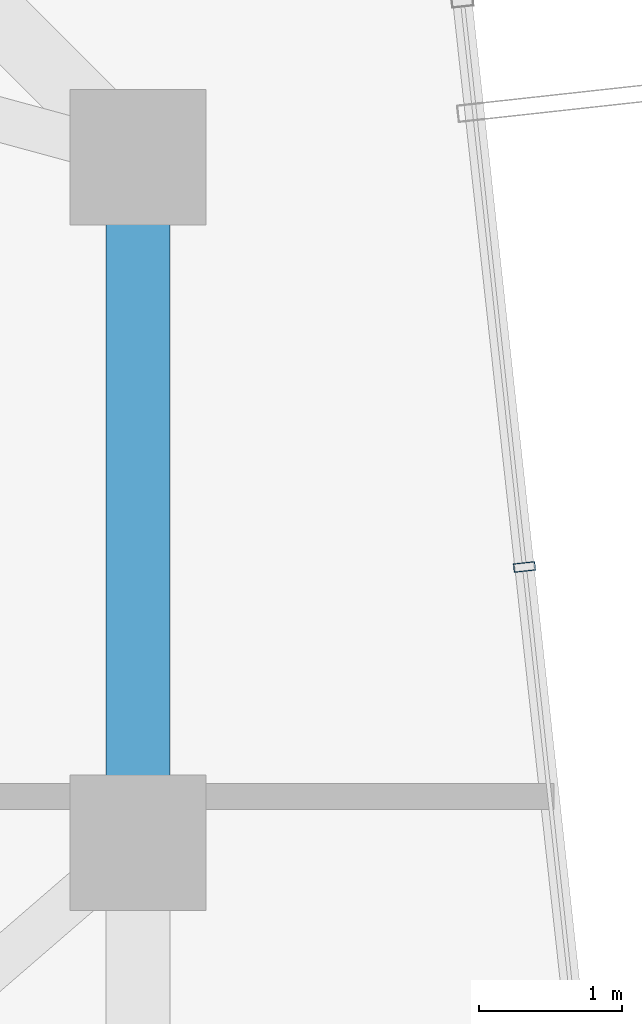
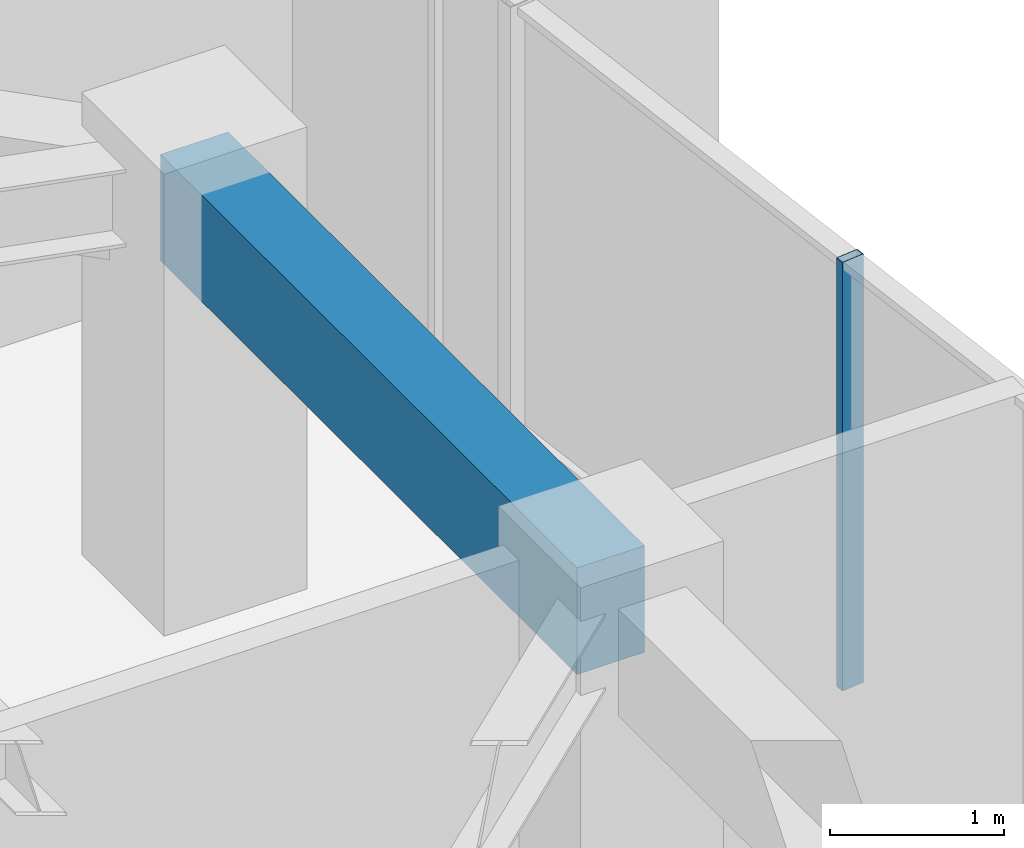
# One storey, part 18 of 32: 1 beam, 1 member, 1 element without a shape of its own.
"""IFC4 building model written with IfcOpenShell, lengths in metres."""

from ifc_helpers import new_model, si_unit, direction, frame, origin, origin_2d, place, context, subcontext, project, spatial, rectangle, hollow_rectangle, extrude, source, transform, mapped, material, layer, layer_set, material_profile, profile_set, type_object, element, aggregate, save


model = new_model("IFC4")

# Units and contexts
model_context = context("Model", 3, precision=1e-05, world=origin(), true_north=direction((0.0, 1.0)))
body_context = subcontext(model_context, "Body", "Model", "MODEL_VIEW")
ifc_project = project(units=[si_unit("LENGTHUNIT", "METRE"), si_unit("AREAUNIT", "SQUARE_METRE"), si_unit("VOLUMEUNIT", "CUBIC_METRE"), si_unit("PLANEANGLEUNIT", "RADIAN"), si_unit("MASSUNIT", "GRAM", prefix="KILO")], contexts=[model_context])

# Site, building, storey
site_placement = place(None, origin())
site = spatial("IfcSite", under=ifc_project, at=site_placement, CompositionType="ELEMENT")
building_placement = place(site_placement, origin())
building = spatial("IfcBuilding", under=site, at=building_placement, Name="Veraguas Prism Commons", CompositionType="ELEMENT")
storey_placement = place(building_placement, frame((0.0, 0.0, 185.35009765625)))
storey = spatial("IfcBuildingStorey", under=building, at=storey_placement, Name="L52", CompositionType="ELEMENT", Elevation=185.35009765625)

# Beam
ifc_material_1 = material(Name="Concrete C50/60", Category="concrete")
ifc_material_profile_1 = material_profile(ifc_material_1, rectangle(XDim=0.449951171875, YDim=0.75, at=origin_2d()), Name="RC450X750")
ifc_profile_set_1 = profile_set([ifc_material_profile_1], Name="Concrete C50/60")
beam_type = type_object("IfcBeamType", Name="Perimeter Spandrel Upper RC 450x750", PredefinedType="SPANDREL", material=ifc_profile_set_1)
beam_placement = place(storey_placement, frame((38.89990234375, 24.0, 2.639892578125), z_axis=(0.0, 1.0, 0.0), x_axis=(-1.0, 0.0, 0.0)))
element("IfcBeam", 1, at=beam_placement, inside=storey, type_object=beam_type, Name="Perimeter Spandrel Beam L52-SP02", PredefinedType="SPANDREL", context=body_context, shape_type="SweptSolid", body=[
    extrude(rectangle(XDim=0.449951171875, YDim=0.75, at=origin_2d()), origin(), (0.0, 0.0, 1.0), 4.800048828125),
])

# Curtain wall, member
ifc_material_2 = material(Name="Anodised aluminium EN AW-6063 T6", Category="aluminium")
ifc_layer = layer(ifc_material_2, 0.14990234375, Name="Unitised Flush Curtain Wall Zone 3", Category="aluminium")
ifc_layer_set = layer_set([ifc_layer], Name="Anodised aluminium EN AW-6063 T6")
curtain_wall_type = type_object("IfcCurtainWallType", Name="Unitised Flush Curtain Wall Zone 3", PredefinedType="NOTDEFINED", material=ifc_layer_set)
curtain_wall_placement = place(storey_placement, origin())
curtain_wall = element("IfcCurtainWall", 2, at=curtain_wall_placement, inside=storey, type_object=curtain_wall_type, Name="Tower Facade Curtain Wall L52-F6", PredefinedType="NOTDEFINED")
ifc_material_profile_2 = material_profile(ifc_material_2, hollow_rectangle(XDim=0.06005859375, YDim=0.14990234375, WallThickness=0.0029296875, at=origin_2d()), Name="AL60X150X3")
ifc_profile_set_2 = profile_set([ifc_material_profile_2], Name="Anodised aluminium EN AW-6063 T6")
member_type = type_object("IfcMemberType", Name="Curtain Wall Mullion Upper AL 60x150x3", PredefinedType="MULLION", material=ifc_profile_set_2)
shared_shape = source(origin(), body_context, "Body", "SweptSolid", [
    extrude(hollow_rectangle(XDim=0.06005859375, YDim=0.14990234375, WallThickness=0.0029296875, at=origin_2d()), origin(), (0.0, 0.0, 1.0), 3.014892578125),
])
member_placement = place(storey_placement, frame((41.604736328125, 25.93115234375, 0.0), z_axis=(0.0, 0.0, 1.0), x_axis=(-0.109045573519, 0.99403675128, 0.0)))
member = element("IfcMember", 3, at=member_placement, type_object=member_type, Name="CW-Z3 Mullion 3", PredefinedType="MULLION", context=body_context, shape_type="MappedRepresentation", body=[
    mapped(shared_shape, transform((0.0, 0.0, 0.0), scale=1.0)),
])
aggregate(curtain_wall, [member])

save(model, "model.ifc")
